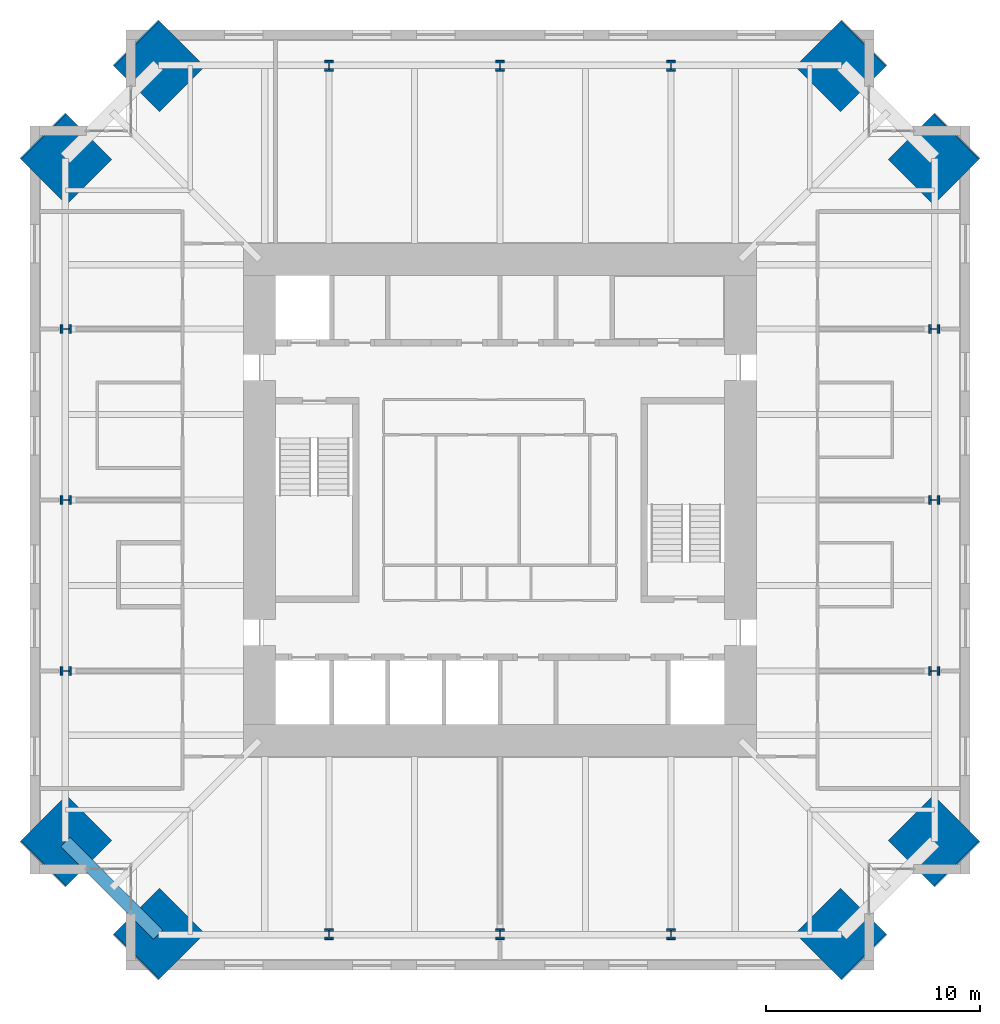
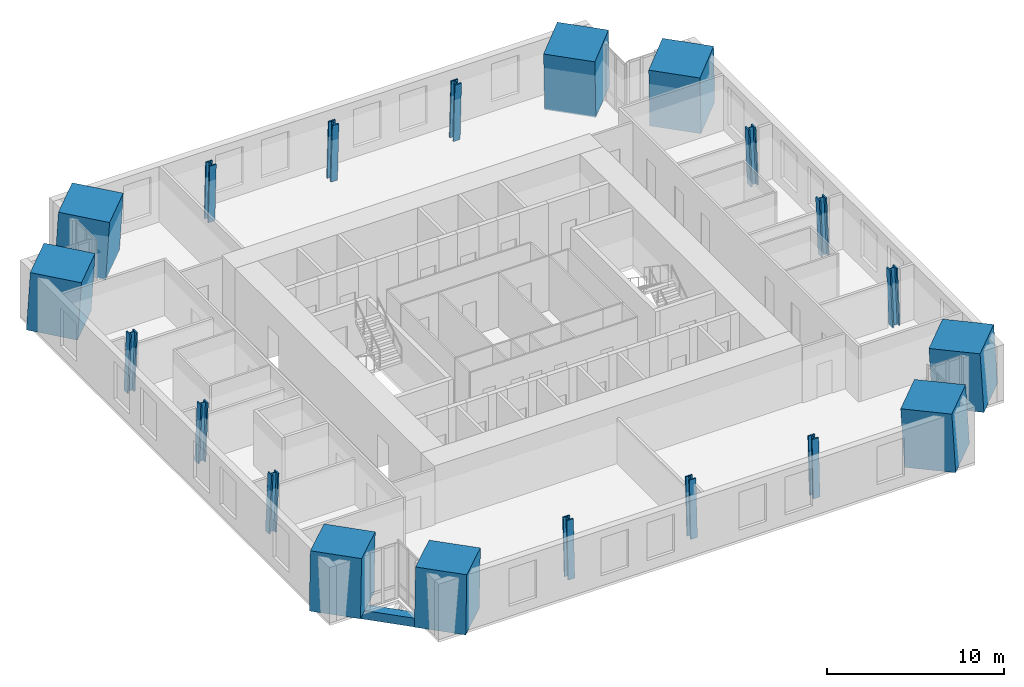
# One storey, part 1 of 16: 20 columns, 1 beam.
"""IFC4 building model written with IfcOpenShell, lengths in metres."""

from ifc_helpers import new_model, si_unit, direction, frame, origin, origin_2d, place, context, subcontext, project, spatial, rectangle, hollow_rectangle, i_section, extrude, material, material_profile, profile_set, type_object, element, save


model = new_model("IFC4")

# Units and contexts
model_context = context("Model", 3, precision=1e-05, world=origin(), true_north=direction((0.0, 1.0)))
body_context = subcontext(model_context, "Body", "Model", "MODEL_VIEW")
ifc_project = project(units=[si_unit("LENGTHUNIT", "METRE"), si_unit("AREAUNIT", "SQUARE_METRE"), si_unit("VOLUMEUNIT", "CUBIC_METRE"), si_unit("PLANEANGLEUNIT", "RADIAN"), si_unit("MASSUNIT", "GRAM", prefix="KILO")], contexts=[model_context])

# Site, building, storey
site_placement = place(None, origin())
site = spatial("IfcSite", under=ifc_project, at=site_placement, CompositionType="ELEMENT")
building_placement = place(site_placement, origin())
building = spatial("IfcBuilding", under=site, at=building_placement, Name="Peilmerk Tower", CompositionType="ELEMENT")
storey_placement = place(building_placement, frame((0.0, 0.0, 261.800048828125)))
storey = spatial("IfcBuildingStorey", under=building, at=storey_placement, Name="L58", CompositionType="ELEMENT", Elevation=261.800048828125)

# Columns
ifc_material_1 = material(Name="Concrete C90/105", Category="concrete")
ifc_material_profile_1 = material_profile(ifc_material_1, rectangle(XDim=3.0, YDim=3.0, at=origin_2d()), Name="RC 3000x3000")
ifc_profile_set_1 = profile_set([ifc_material_profile_1], Name="Concrete C90/105")
column_type_1 = type_object("IfcColumnType", Name="MC3 3000x3000 encased mega column", PredefinedType="COLUMN", material=ifc_profile_set_1)
for number, where, z_axis, x_axis, name in (
    (1, (15.990234375, 20.34033203125, 0.0), (-0.040217894151, -0.040278830354, 0.998378754189), (0.707641859868, -0.706571297296, 0.0), "Mega column MC3 NE_N L58"),
    (2, (20.34033203125, 15.990234375, 0.0), (-0.040278830354, -0.040217894151, 0.998378754189), (0.706571297296, -0.707641859868, 0.0), "Mega column MC3 NE_E L58"),
    (3, (20.34033203125, -15.990234375, 0.0), (-0.040278830354, 0.040217894151, 0.998378754189), (-0.706571297296, -0.707641859868, 0.0), "Mega column MC3 SE_E L58"),
    (4, (15.990234375, -20.34033203125, 0.0), (-0.040217894151, 0.040278830354, 0.998378754189), (-0.707641859868, -0.706571297296, 0.0), "Mega column MC3 SE_S L58"),
    (5, (-15.990234375, -20.34033203125, 0.0), (0.040217894151, 0.040278830354, 0.998378754189), (-0.707641859868, 0.706571297296, 0.0), "Mega column MC3 SW_S L58"),
    (6, (-20.34033203125, -15.990234375, 0.0), (0.040278830354, 0.040217894151, 0.998378754189), (-0.706571297296, 0.707641859868, 0.0), "Mega column MC3 SW_W L58"),
    (7, (-20.34033203125, 15.990234375, 0.0), (0.040278830354, -0.040217894151, 0.998378754189), (0.706571297296, 0.707641859868, 0.0), "Mega column MC3 NW_W L58"),
    (8, (-15.990234375, 20.34033203125, 0.0), (0.040217894151, -0.040278830354, 0.998378754189), (0.707641859868, 0.706571297296, 0.0), "Mega column MC3 NW_N L58"),
):
    element("IfcColumn", number, at=place(storey_placement, frame(where, z_axis=z_axis, x_axis=x_axis)), inside=storey, type_object=column_type_1, Name=name, PredefinedType="COLUMN", context=body_context, shape_type="SweptSolid", body=[
        extrude(rectangle(XDim=3.0, YDim=3.0, at=origin_2d()), origin(), (0.0, 0.0, 1.0), 4.006591796875),
    ])
ifc_material_2 = material(Name="Steel S460", Category="steel")
ifc_material_profile_2 = material_profile(ifc_material_2, i_section(OverallWidth=0.431884765625, OverallDepth=0.498046875, WebThickness=0.0556640625, FlangeThickness=0.0888671875, at=origin_2d()), Name="HD 400x744")
ifc_profile_set_2 = profile_set([ifc_material_profile_2], Name="Steel S460")
column_type_2 = type_object("IfcColumnType", Name="SC7 HD 400x744 perimeter column", PredefinedType="COLUMN", material=ifc_profile_set_2)
for number, where, z_axis, x_axis, name in (
    (9, (0.0, 20.34033203125, 0.0), (0.0, -0.040311445006, 0.999187163349), (1.0, 0.0, 0.0), "Perimeter column N+0 L58"),
    (10, (8.0, 20.34033203125, 0.0), (0.0, -0.040311445006, 0.999187163349), (1.0, 0.0, 0.0), "Perimeter column N-8 L58"),
    (11, (-8.0, 20.34033203125, 0.0), (0.0, -0.040311445006, 0.999187163349), (1.0, 0.0, 0.0), "Perimeter column N+8 L58"),
    (12, (20.34033203125, 0.0, 0.0), (-0.040311445006, 0.0, 0.999187163349), (0.0, -1.0, 0.0), "Perimeter column E+0 L58"),
    (13, (20.34033203125, -8.0, 0.0), (-0.040311445006, 0.0, 0.999187163349), (0.0, -1.0, 0.0), "Perimeter column E-8 L58"),
    (14, (20.34033203125, 8.0, 0.0), (-0.040311445006, 0.0, 0.999187163349), (0.0, -1.0, 0.0), "Perimeter column E+8 L58"),
    (15, (0.0, -20.34033203125, 0.0), (0.0, 0.040311445006, 0.999187163349), (-1.0, 0.0, 0.0), "Perimeter column S+0 L58"),
    (16, (-8.0, -20.34033203125, 0.0), (0.0, 0.040311445006, 0.999187163349), (-1.0, 0.0, 0.0), "Perimeter column S-8 L58"),
    (17, (8.0, -20.34033203125, 0.0), (0.0, 0.040311445006, 0.999187163349), (-1.0, 0.0, 0.0), "Perimeter column S+8 L58"),
    (18, (-20.34033203125, 0.0, 0.0), (0.040311445006, 0.0, 0.999187163349), (0.0, 1.0, 0.0), "Perimeter column W+0 L58"),
    (19, (-20.34033203125, 8.0, 0.0), (0.040311445006, 0.0, 0.999187163349), (0.0, 1.0, 0.0), "Perimeter column W-8 L58"),
    (20, (-20.34033203125, -8.0, 0.0), (0.040311445006, 0.0, 0.999187163349), (0.0, 1.0, 0.0), "Perimeter column W+8 L58"),
):
    element("IfcColumn", number, at=place(storey_placement, frame(where, z_axis=z_axis, x_axis=x_axis)), inside=storey, type_object=column_type_2, Name=name, PredefinedType="COLUMN", context=body_context, shape_type="SweptSolid", body=[
        extrude(i_section(OverallWidth=0.431884765625, OverallDepth=0.498046875, WebThickness=0.0556640625, FlangeThickness=0.0888671875, at=origin_2d()), origin(), (0.0, 0.0, 1.0), 4.003173828125),
    ])

# Beam
ifc_material_profile_3 = material_profile(ifc_material_2, hollow_rectangle(XDim=0.60009765625, YDim=0.60009765625, WallThickness=0.06005859375, at=origin_2d()), Name="BOX 600x600x60")
ifc_profile_set_3 = profile_set([ifc_material_profile_3], Name="Steel S460")
beam_type = type_object("IfcBeamType", Name="B20 BOX 600x600x60 notch beam", PredefinedType="SPANDREL", material=ifc_profile_set_3)
beam_placement = place(storey_placement, frame((-15.990234375, -20.34033203125, -0.469970703125), z_axis=(-0.707106781187, 0.707106781187, 0.0), x_axis=(-0.707106781187, -0.707106781187, 0.0)))
element("IfcBeam", 21, at=beam_placement, inside=storey, type_object=beam_type, Name="Notch beam L58", PredefinedType="SPANDREL", context=body_context, shape_type="SweptSolid", body=[
    extrude(hollow_rectangle(XDim=0.60009765625, YDim=0.60009765625, WallThickness=0.06005859375, at=origin_2d()), origin(), (0.0, 0.0, 1.0), 6.15185546875),
])

save(model, "model.ifc")
